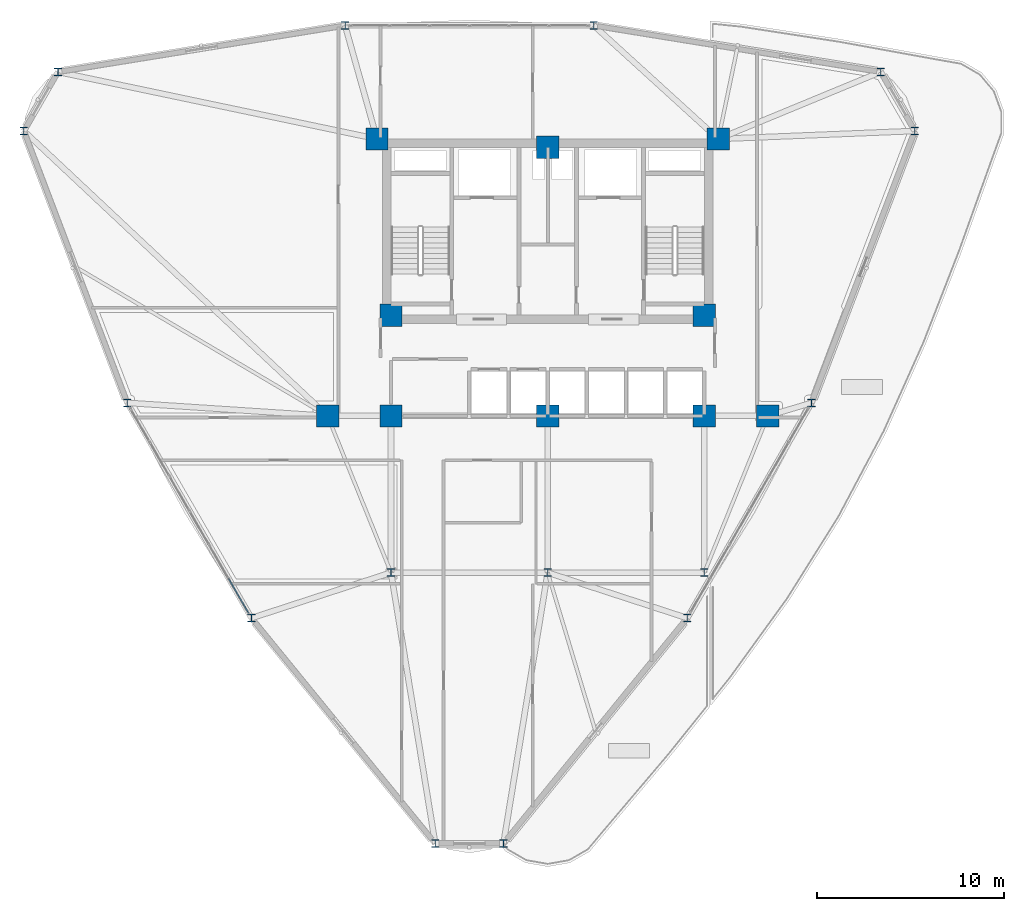
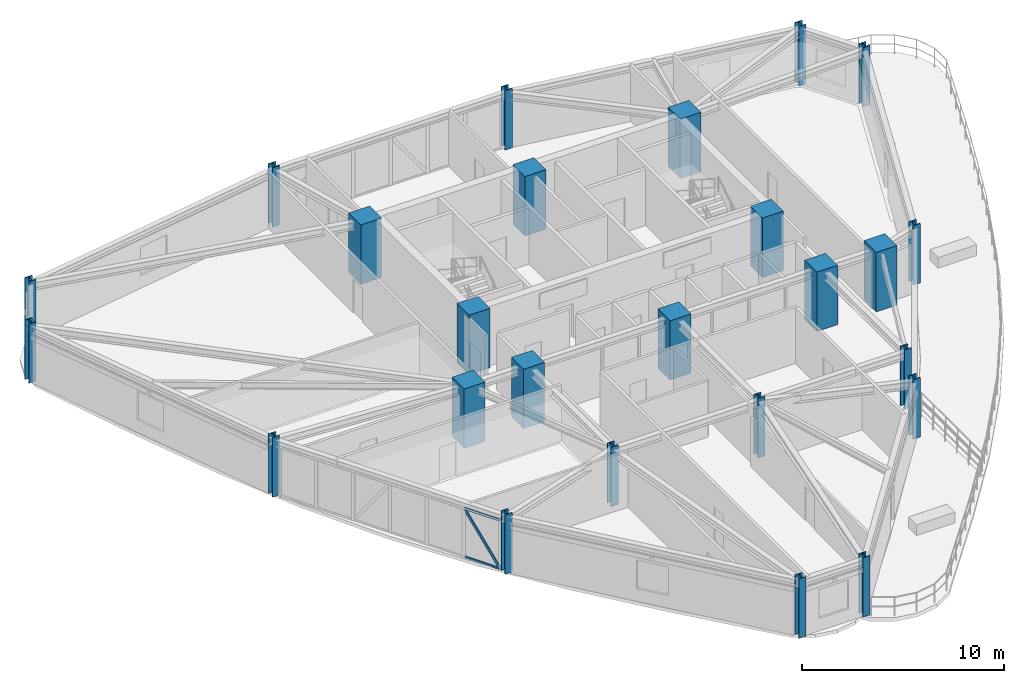
# One storey, part 1 of 18: 25 columns, 3 members, 1 element without a shape of its own.
"""IFC4 building model written with IfcOpenShell, lengths in metres."""

import ifcopenshell
import ifcopenshell.guid

model = None  # the IFC model being written
_history = None  # IfcOwnerHistory: only IFC2X3 demands one
_inside = {}  # id of a spatial element -> (the spatial element, [elements in it])
_under = {}  # id of a project, library or spatial element -> (it, [spatial elements below it])
_declared = {}  # id of a project -> (the project, [libraries it declares])
_typed = {}  # id of a type object -> (the type object, [elements of that type])
_made_of = {}  # id of a material, layer set ... -> (it, [elements and type objects made of it])


def new_model(schema):
    """Start an empty IFC model of exactly this schema.

    Asked for "IFC4X3", IfcOpenShell would pick the latest addendum, in which some entities
    have other attributes; the version numbers below select the first issue.
    IFC2X3 requires an IfcOwnerHistory on every rooted entity: one is made here for all.
    """
    global model, _history
    if schema == "IFC4X3":
        model = ifcopenshell.file(schema_version=(4, 3, 0, 0))
    else:
        model = ifcopenshell.file(schema=schema)
    _inside.clear()
    _under.clear()
    _declared.clear()
    _typed.clear()
    _made_of.clear()
    _history = None
    if model.schema == "IFC2X3":
        org = make("IfcOrganization", Name="unknown")
        user = make(
            "IfcPersonAndOrganization",
            ThePerson=make("IfcPerson", FamilyName="unknown"),
            TheOrganization=org,
        )
        app = make(
            "IfcApplication",
            ApplicationDeveloper=org,
            Version="unknown",
            ApplicationFullName="unknown",
            ApplicationIdentifier="unknown",
        )
        _history = make(
            "IfcOwnerHistory",
            OwningUser=user,
            OwningApplication=app,
            ChangeAction="ADDED",
            CreationDate=0,
        )
    return model


def make(cls, **values):
    """One entity of the class cls with the attributes given. An attribute that is None is left unset."""
    return model.create_entity(
        cls, **{name: value for name, value in values.items() if value is not None}
    )


def rooted(cls, **values):
    """An entity with a GlobalId (a new one), such as an element, a storey or a relation."""
    return make(cls, GlobalId=ifcopenshell.guid.new(), OwnerHistory=_history, **values)


def si_unit(unit_type, name, prefix=None):
    """IfcSIUnit, for example si_unit("LENGTHUNIT", "METRE", prefix="MILLI")."""
    return make("IfcSIUnit", UnitType=unit_type, Prefix=prefix, Name=name)


def derived_unit(unit_type, elements):
    """IfcDerivedUnit: a product of units, each with its exponent."""
    return make(
        "IfcDerivedUnit",
        Elements=[
            make("IfcDerivedUnitElement", Unit=unit, Exponent=power)
            for unit, power in elements
        ],
        UnitType=unit_type,
    )


def assignment(units):
    """IfcUnitAssignment: the units of a project."""
    return None if units is None else make("IfcUnitAssignment", Units=units)


def point(xyz):
    """IfcCartesianPoint."""
    return None if xyz is None else make("IfcCartesianPoint", Coordinates=xyz)


def direction(xyz):
    """IfcDirection."""
    return None if xyz is None else make("IfcDirection", DirectionRatios=xyz)


def frame(location, z_axis=None, x_axis=None):
    """IfcAxis2Placement3D, a coordinate frame: its origin and axes. An axis left out is left unset."""
    return make(
        "IfcAxis2Placement3D",
        Location=point(location),
        Axis=direction(z_axis),
        RefDirection=direction(x_axis),
    )


def frame_2d(location, x_axis=None):
    """IfcAxis2Placement2D, a coordinate frame in the plane: its origin and x axis."""
    return make(
        "IfcAxis2Placement2D", Location=point(location), RefDirection=direction(x_axis)
    )


def origin():
    """The frame at (0, 0, 0) with its axes left unset."""
    return frame((0.0, 0.0, 0.0))


def origin_2d():
    """The frame at (0, 0) in the plane with its x axis left unset."""
    return frame_2d((0.0, 0.0))


def place(relative_to, where):
    """IfcLocalPlacement: puts the frame where relative to a parent placement (None: the world)."""
    return make(
        "IfcLocalPlacement", PlacementRelTo=relative_to, RelativePlacement=where
    )


def context(
    kind, dimensions, precision=None, world=None, true_north=None, identifier=None
):
    """IfcGeometricRepresentationContext, for example the 3D "Model" context."""
    return make(
        "IfcGeometricRepresentationContext",
        ContextIdentifier=identifier,
        ContextType=kind,
        CoordinateSpaceDimension=dimensions,
        Precision=precision,
        WorldCoordinateSystem=world,
        TrueNorth=true_north,
    )


def subcontext(parent, identifier, kind, view, scale=None):
    """IfcGeometricRepresentationSubContext, for example "Body" below "Model"."""
    return make(
        "IfcGeometricRepresentationSubContext",
        ContextIdentifier=identifier,
        ContextType=kind,
        ParentContext=parent,
        TargetScale=scale,
        TargetView=view,
    )


def project(units=None, contexts=None):
    """IfcProject with its units and contexts."""
    return rooted(
        "IfcProject",
        Name="project",
        RepresentationContexts=contexts,
        UnitsInContext=assignment(units),
    )


def spatial(cls, under=None, at=None, **own):
    """A site, building, storey or space (cls), placed at a placement, below another one or the project."""
    s = rooted(cls, ObjectPlacement=at, **own)
    if under is not None:
        _under.setdefault(under.id(), (under, []))[1].append(s)
    return s


def profile(cls, at=None, kind="AREA", **sizes):
    """A parametric profile (cls). Its sizes go by their IFC names, for example OverallWidth=200.0."""
    return make(cls, ProfileType=kind, Position=at, **sizes)


def rectangle(**sizes):
    """IfcRectangleProfileDef."""
    return profile("IfcRectangleProfileDef", **sizes)


def hollow_rectangle(**sizes):
    """IfcRectangleHollowProfileDef."""
    return profile("IfcRectangleHollowProfileDef", **sizes)


def i_section(**sizes):
    """IfcIShapeProfileDef."""
    return profile("IfcIShapeProfileDef", **sizes)


def extrude(swept, where, along, depth):
    """IfcExtrudedAreaSolid: the profile swept, set in the frame where, extruded along a direction by depth."""
    return make(
        "IfcExtrudedAreaSolid",
        SweptArea=swept,
        Position=where,
        ExtrudedDirection=direction(along),
        Depth=depth,
    )


def shape(context_of_items, identifier, shape_type, items):
    """IfcShapeRepresentation: the items that make up one representation, for example the "Body"."""
    return make(
        "IfcShapeRepresentation",
        ContextOfItems=context_of_items,
        RepresentationIdentifier=identifier,
        RepresentationType=shape_type,
        Items=items,
    )


def source(mapping_origin, context_of_items, identifier, shape_type, items):
    """IfcRepresentationMap: a shape defined once, which mapped items show again and again."""
    return make(
        "IfcRepresentationMap",
        MappingOrigin=mapping_origin,
        MappedRepresentation=shape(context_of_items, identifier, shape_type, items),
    )


def transform(
    local_origin,
    x_axis=None,
    y_axis=None,
    z_axis=None,
    scale=None,
    scale2=None,
    scale3=None,
    uniform=True,
):
    """IfcCartesianTransformationOperator3D, or its non-uniform kind. x_axis, y_axis, z_axis: its Axis1, 2, 3."""
    if uniform:
        return make(
            "IfcCartesianTransformationOperator3D",
            Axis1=direction(x_axis),
            Axis2=direction(y_axis),
            LocalOrigin=point(local_origin),
            Scale=scale,
            Axis3=direction(z_axis),
        )
    return make(
        "IfcCartesianTransformationOperator3DnonUniform",
        Axis1=direction(x_axis),
        Axis2=direction(y_axis),
        LocalOrigin=point(local_origin),
        Scale=scale,
        Axis3=direction(z_axis),
        Scale2=scale2,
        Scale3=scale3,
    )


def mapped(mapping_source, mapping_target):
    """IfcMappedItem: shows the shape of a source again, moved by a transform."""
    return make(
        "IfcMappedItem", MappingSource=mapping_source, MappingTarget=mapping_target
    )


def material(Name=None, Category=None):
    """IfcMaterial."""
    return make("IfcMaterial", Name=Name, Category=Category)


def layer(
    of_material, thickness, ventilated=None, Name=None, Category=None, Priority=None
):
    """IfcMaterialLayer: one layer of a wall or slab, of a material (None: an air gap)."""
    return make(
        "IfcMaterialLayer",
        Material=of_material,
        LayerThickness=thickness,
        IsVentilated=ventilated,
        Name=Name,
        Category=Category,
        Priority=Priority,
    )


def layer_set(layers, Name=None):
    """IfcMaterialLayerSet."""
    return make("IfcMaterialLayerSet", MaterialLayers=layers, LayerSetName=Name)


def material_profile(
    of_material, cross_section, Name=None, Category=None, Priority=None
):
    """IfcMaterialProfile: a cross section and its material."""
    return make(
        "IfcMaterialProfile",
        Name=Name,
        Material=of_material,
        Profile=cross_section,
        Priority=Priority,
        Category=Category,
    )


def profile_set(profiles, Name=None, composite=None):
    """IfcMaterialProfileSet."""
    return make(
        "IfcMaterialProfileSet",
        Name=Name,
        MaterialProfiles=profiles,
        CompositeProfile=composite,
    )


def made_of(thing, what):
    """Note that an element or type object is made of a material, layer set ...; save() writes the relation."""
    if what is not None:
        _made_of.setdefault(what.id(), (what, []))[1].append(thing)
    return thing


def type_object(cls, material=None, **own):
    """A type object (cls), such as IfcWallType, which elements share."""
    return made_of(rooted(cls, **own), material)


def element(
    cls,
    number,
    at=None,
    inside=None,
    cuts=None,
    type_object=None,
    material=None,
    context=None,
    identifier="Body",
    shape_type=None,
    held_by="IfcProductDefinitionShape",
    body=None,
    shapes=None,
    **own,
):
    """One element of the class cls, such as IfcWall. Its Tag is "e" and its number.

    at: its placement. inside: the storey or other place that contains it. cuts: it is an
    opening in that element (IfcRelVoidsElement). A single representation is given by context,
    identifier, shape_type and body (its items); several are given by shapes. held_by: the class
    of the entity that holds the representations. save() writes the other relations.
    """
    e = rooted(cls, Tag="e%d" % number, ObjectPlacement=at, **own)
    if body is not None:
        shapes = [shape(context, identifier, shape_type, body)]
    if shapes is not None:
        e.Representation = make(held_by, Representations=shapes)
    if inside is not None:
        _inside.setdefault(inside.id(), (inside, []))[1].append(e)
    if cuts is not None:
        rooted(
            "IfcRelVoidsElement", RelatingBuildingElement=cuts, RelatedOpeningElement=e
        )
    if type_object is not None:
        _typed.setdefault(type_object.id(), (type_object, []))[1].append(e)
    return made_of(e, material)


def aggregate(whole, parts):
    """IfcRelAggregates: a whole, such as a stair, and the parts it consists of."""
    return rooted("IfcRelAggregates", RelatingObject=whole, RelatedObjects=parts)


def save(model, path):
    """Write the relations noted so far, then the file.

    IfcRelAggregates (storeys below a building ...), IfcRelContainedInSpatialStructure (elements
    in a storey), IfcRelDefinesByType, IfcRelAssociatesMaterial and IfcRelDeclares: one each for
    every whole, place, type object, material and project.
    """
    for whole, parts in _under.values():
        aggregate(whole, parts)
    for where, things in _inside.values():
        rooted(
            "IfcRelContainedInSpatialStructure",
            RelatedElements=things,
            RelatingStructure=where,
        )
    for kind, things in _typed.values():
        rooted("IfcRelDefinesByType", RelatedObjects=things, RelatingType=kind)
    for what, things in _made_of.values():
        rooted("IfcRelAssociatesMaterial", RelatedObjects=things, RelatingMaterial=what)
    for by, libraries in _declared.values():
        rooted("IfcRelDeclares", RelatingContext=by, RelatedDefinitions=libraries)
    model.write(path)


model = new_model("IFC4")

# Units and contexts
model_context = context("Model", 3, precision=1e-05, world=origin(), true_north=direction((0.0, 1.0)))
body_context = subcontext(model_context, "Body", "Model", "MODEL_VIEW")
ifc_project = project(units=[si_unit("LENGTHUNIT", "METRE"), si_unit("AREAUNIT", "SQUARE_METRE"), si_unit("VOLUMEUNIT", "CUBIC_METRE"), si_unit("PLANEANGLEUNIT", "RADIAN"), si_unit("MASSUNIT", "GRAM", prefix="KILO"), derived_unit("THERMALTRANSMITTANCEUNIT", [(si_unit("POWERUNIT", "WATT"), 1), (si_unit("LENGTHUNIT", "METRE"), -2), (si_unit("THERMODYNAMICTEMPERATUREUNIT", "KELVIN"), -1)])], contexts=[model_context])

# Site, building, storey
site_placement = place(None, origin())
site = spatial("IfcSite", under=ifc_project, at=site_placement, CompositionType="ELEMENT")
building_placement = place(site_placement, origin())
building = spatial("IfcBuilding", under=site, at=building_placement, Name="Korsvarv Bourse and Concert Hall", CompositionType="ELEMENT")
storey_placement = place(building_placement, frame((0.0, 0.0, 136.199951171875)))
storey = spatial("IfcBuildingStorey", under=building, at=storey_placement, Name="L34", CompositionType="ELEMENT", Elevation=136.199951171875)

# Columns
ifc_material_1 = material(Name="Concrete C60/75", Category="concrete")
ifc_material_profile_1 = material_profile(ifc_material_1, rectangle(XDim=1.199951171875, YDim=1.199951171875, at=origin_2d()), Name="RC 1200x1200")
ifc_profile_set_1 = profile_set([ifc_material_profile_1], Name="Concrete C60/75")
column_type_1 = type_object("IfcColumnType", Name="COL-RC1200", PredefinedType="COLUMN", material=ifc_profile_set_1)
shared_shape_1 = source(origin(), body_context, "Body", "SweptSolid", [
    extrude(rectangle(XDim=1.199951171875, YDim=1.199951171875, at=origin_2d()), origin(), (0.0, 0.0, 1.0), 3.60009765625),
])
for number, where, z_axis, x_axis, name in (
    (1, (26.85009765625, 47.25, 0.0), (0.0, 0.0, 1.0), (1.0, 0.0, 0.0), "L34 column C-02"),
    (2, (45.14990234375, 47.25, 0.0), (0.0, 0.0, 1.0), (1.0, 0.0, 0.0), "L34 column C-02"),
    (3, (27.60009765625, 37.800048828125, 0.0), (0.0, 0.0, 1.0), (1.0, 0.0, 0.0), "L34 column C-02"),
    (4, (44.39990234375, 37.800048828125, 0.0), (0.0, 0.0, 1.0), (1.0, 0.0, 0.0), "L34 column C-02"),
    (5, (27.60009765625, 32.39990234375, 0.0), (0.0, 0.0, 1.0), (1.0, 0.0, 0.0), "L34 column C-02"),
    (6, (44.39990234375, 32.39990234375, 0.0), (0.0, 0.0, 1.0), (1.0, 0.0, 0.0), "L34 column C-02"),
    (7, (36.0, 46.800048828125, 0.0), (0.0, 0.0, 1.0), (1.0, 0.0, 0.0), "L34 column C-02"),
    (8, (36.0, 32.39990234375, 0.0), (0.0, 0.0, 1.0), (1.0, 0.0, 0.0), "L34 column C-02"),
    (9, (24.199951171875, 32.39990234375, 0.0), (0.0, 0.0, 1.0), (1.0, 0.0, 0.0), "L34 column C-02"),
    (10, (47.800048828125, 32.39990234375, 0.0), (0.0, 0.0, 1.0), (1.0, 0.0, 0.0), "L34 column C-02"),
):
    element("IfcColumn", number, at=place(storey_placement, frame(where, z_axis=z_axis, x_axis=x_axis)), inside=storey, type_object=column_type_1, Name=name, PredefinedType="COLUMN", context=body_context, shape_type="MappedRepresentation", body=[
        mapped(shared_shape_1, transform((0.0, 0.0, 0.0), scale=1.0)),
    ])
ifc_material_2 = material(Name="Steel S355", Category="steel")
ifc_material_profile_2 = material_profile(ifc_material_2, i_section(OverallWidth=0.412109375, OverallDepth=0.43505859375, WebThickness=0.032958984375, FlangeThickness=0.052978515625, FilletRadius=0.014892578125, at=origin_2d()), Name="HD 400x463")
ifc_profile_set_2 = profile_set([ifc_material_profile_2], Name="Steel S355")
column_type_2 = type_object("IfcColumnType", Name="COL-HD463", PredefinedType="COLUMN", material=ifc_profile_set_2)
shared_shape_2 = source(origin(), body_context, "Body", "SweptSolid", [
    extrude(i_section(OverallWidth=0.412109375, OverallDepth=0.43505859375, WebThickness=0.032958984375, FlangeThickness=0.052978515625, FilletRadius=0.014892578125, at=origin_2d()), origin(), (0.0, 0.0, 1.0), 3.60009765625),
])
for number, where, z_axis, x_axis, name in (
    (11, (27.60009765625, 24.0, 0.0), (0.0, 0.0, 1.0), (1.0, 0.0, 0.0), "L34 column C-09"),
    (12, (44.39990234375, 24.0, 0.0), (0.0, 0.0, 1.0), (1.0, 0.0, 0.0), "L34 column C-09"),
    (13, (36.0, 24.0, 0.0), (0.0, 0.0, 1.0), (1.0, 0.0, 0.0), "L34 column C-09"),
    (14, (55.686279296875, 47.677978515625, 0.0), (0.0, 0.0, 1.0), (1.0, 0.0, 0.0), "L34 column C-09"),
    (15, (53.8564453125, 50.846923828125, 0.0), (0.0, 0.0, 1.0), (1.0, 0.0, 0.0), "L34 column C-09"),
    (16, (38.463623046875, 53.3369140625, 0.0), (0.0, 0.0, 1.0), (1.0, 0.0, 0.0), "L34 column C-09"),
    (17, (25.13623046875, 53.3369140625, 0.0), (0.0, 0.0, 1.0), (1.0, 0.0, 0.0), "L34 column C-09"),
    (18, (9.743408203125, 50.846923828125, 0.0), (0.0, 0.0, 1.0), (1.0, 0.0, 0.0), "L34 column C-09"),
    (19, (7.913818359375, 47.677978515625, 0.0), (0.0, 0.0, 1.0), (1.0, 0.0, 0.0), "L34 column C-09"),
    (20, (13.453857421875, 33.1025390625, 0.0), (0.0, 0.0, 1.0), (1.0, 0.0, 0.0), "L34 column C-09"),
    (21, (20.11767578125, 21.560546875, 0.0), (0.0, 0.0, 1.0), (1.0, 0.0, 0.0), "L34 column C-09"),
    (22, (29.97021484375, 9.47509765625, 0.0), (0.0, 0.0, 1.0), (1.0, 0.0, 0.0), "L34 column C-09"),
    (23, (33.629638671875, 9.47509765625, 0.0), (0.0, 0.0, 1.0), (1.0, 0.0, 0.0), "L34 column C-09"),
    (24, (43.482421875, 21.560546875, 0.0), (0.0, 0.0, 1.0), (1.0, 0.0, 0.0), "L34 column C-09"),
    (25, (50.14599609375, 33.1025390625, 0.0), (0.0, 0.0, 1.0), (1.0, 0.0, 0.0), "L34 column C-09"),
):
    element("IfcColumn", number, at=place(storey_placement, frame(where, z_axis=z_axis, x_axis=x_axis)), inside=storey, type_object=column_type_2, Name=name, PredefinedType="COLUMN", context=body_context, shape_type="MappedRepresentation", body=[
        mapped(shared_shape_2, transform((0.0, 0.0, 0.0), scale=1.0)),
    ])

# Curtain wall, members
ifc_material_3 = material(Name="Anodised aluminium and triple low-E glazing", Category="glass")
ifc_layer = layer(ifc_material_3, 0.2099609375)
ifc_layer_set = layer_set([ifc_layer], Name="Anodised aluminium and triple low-E glazing")
curtain_wall_type = type_object("IfcCurtainWallType", Name="CW-SYS-2", PredefinedType="NOTDEFINED", material=ifc_layer_set)
curtain_wall_placement = place(storey_placement, origin())
curtain_wall = element("IfcCurtainWall", 26, at=curtain_wall_placement, inside=storey, type_object=curtain_wall_type, Name="L34 CW2 curtain wall CW-L34-F07", PredefinedType="NOTDEFINED")
ifc_material_4 = material(Name="Extruded aluminium EN AW-6063 T66", Category="aluminium")
ifc_material_profile_3 = material_profile(ifc_material_4, hollow_rectangle(XDim=0.06494140625, YDim=0.139892578125, WallThickness=0.00390625, at=origin_2d()), Name="ALU-T 65x140")
ifc_profile_set_3 = profile_set([ifc_material_profile_3], Name="Extruded aluminium EN AW-6063 T66")
member_type_1 = type_object("IfcMemberType", Name="CWT-140", PredefinedType="USERDEFINED", material=ifc_profile_set_3)
shared_shape_3 = source(origin(), body_context, "Body", "SweptSolid", [
    extrude(hollow_rectangle(XDim=0.06494140625, YDim=0.139892578125, WallThickness=0.00390625, at=origin_2d()), origin(), (0.0, 0.0, 1.0), 2.01318359375),
])
member_1_placement = place(storey_placement, frame((18.921630859375, 23.632080078125, 0.032470703125), z_axis=(0.500012890865, -0.866017961112, 0.0), x_axis=(0.866017961112, 0.500012890865, 0.0)))
member_1 = element("IfcMember", 27, at=member_1_placement, type_object=member_type_1, Name="CW2 transom 6.1", ObjectType="TRANSOM", PredefinedType="USERDEFINED", context=body_context, shape_type="MappedRepresentation", body=[
    mapped(shared_shape_3, transform((0.0, 0.0, 0.0), scale=1.0)),
])
member_2_placement = place(storey_placement, frame((18.921630859375, 23.632080078125, 2.967529296875), z_axis=(0.500012890865, -0.866017961112, 0.0), x_axis=(0.866017961112, 0.500012890865, 0.0)))
member_2 = element("IfcMember", 28, at=member_2_placement, type_object=member_type_1, Name="CW2 transom 6.2", ObjectType="TRANSOM", PredefinedType="USERDEFINED", context=body_context, shape_type="MappedRepresentation", body=[
    mapped(shared_shape_3, transform((0.0, 0.0, 0.0), scale=1.0)),
])
ifc_material_profile_4 = material_profile(ifc_material_4, hollow_rectangle(XDim=0.06494140625, YDim=0.1650390625, WallThickness=0.0048828125, at=origin_2d()), Name="ALU-M 65x165")
ifc_profile_set_4 = profile_set([ifc_material_profile_4], Name="Extruded aluminium EN AW-6063 T66")
member_type_2 = type_object("IfcMemberType", Name="CWM-165", PredefinedType="MULLION", material=ifc_profile_set_4)
shared_shape_4 = source(origin(), body_context, "Body", "SweptSolid", [
    extrude(hollow_rectangle(XDim=0.06494140625, YDim=0.1650390625, WallThickness=0.0048828125, at=origin_2d()), origin(), (0.0, 0.0, 1.0), 3.505859375),
])
member_3_placement = place(storey_placement, frame((19.92822265625, 21.888671875, 0.06494140625), z_axis=(-0.287126079977, 0.497299863477, 0.81868886641), x_axis=(-0.866017961112, -0.500012890865, 0.0)))
member_3 = element("IfcMember", 29, at=member_3_placement, type_object=member_type_2, Name="CW2 diagonal mullion 6", PredefinedType="MULLION", context=body_context, shape_type="MappedRepresentation", body=[
    mapped(shared_shape_4, transform((0.0, 0.0, 0.0), scale=1.0)),
])
aggregate(curtain_wall, [member_1, member_2, member_3])

save(model, "model.ifc")
